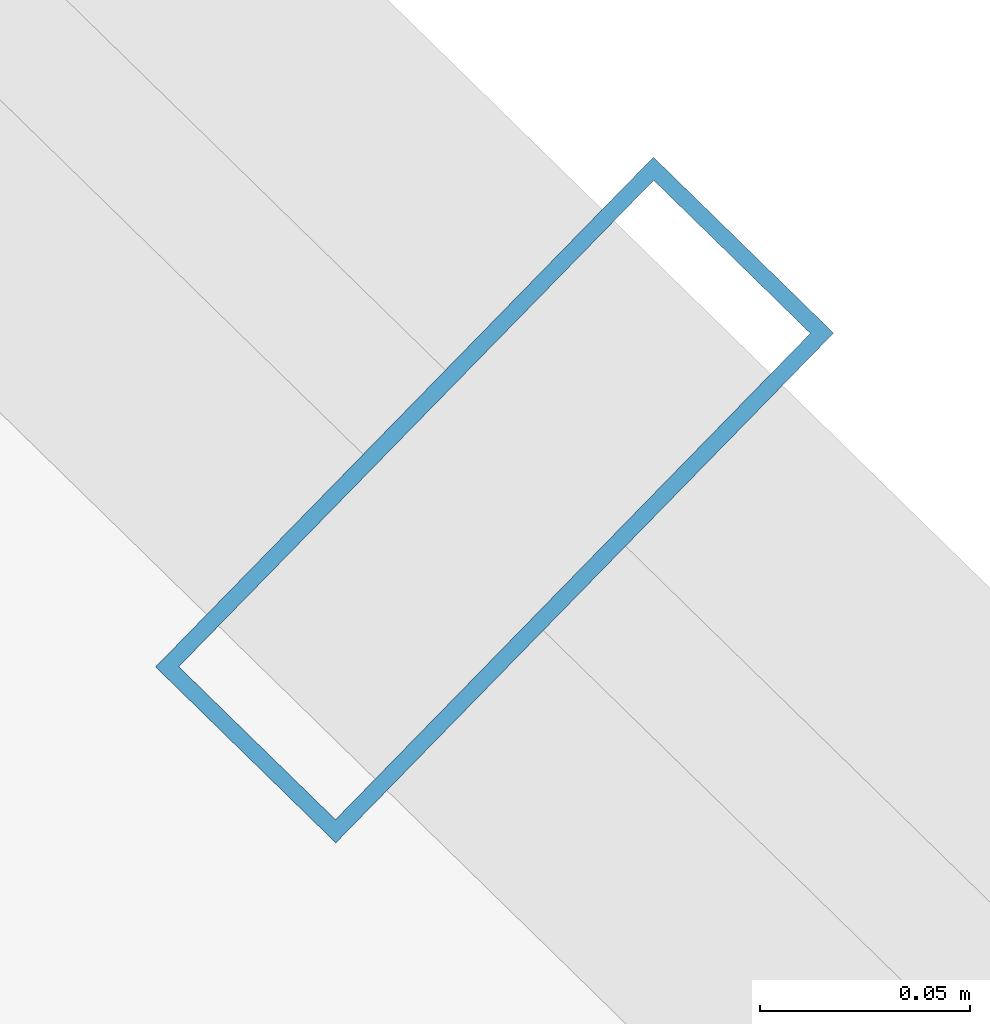
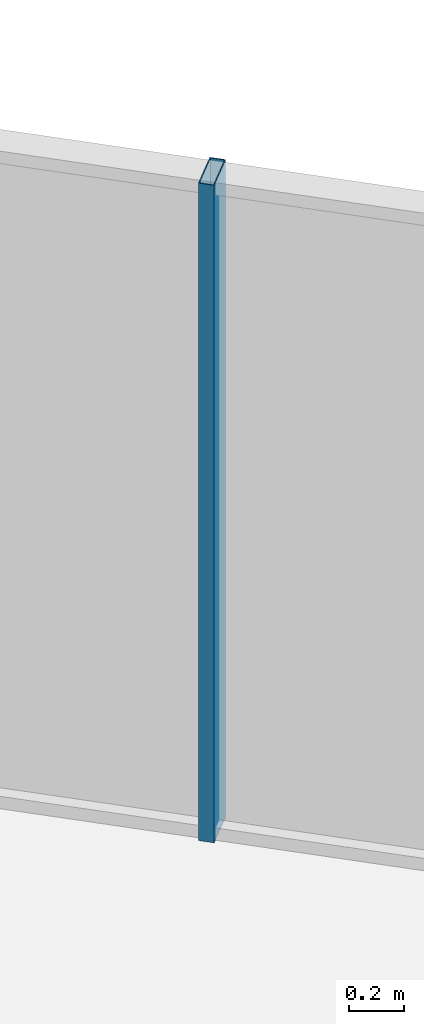
# One storey, part 30 of 39: 1 member, 1 element without a shape of its own.
"""IFC4 building model written with IfcOpenShell, lengths in metres."""

from ifc_helpers import new_model, si_unit, direction, frame, origin, origin_2d, place, context, subcontext, project, spatial, hollow_rectangle, extrude, source, transform, mapped, material, layer, layer_set, material_profile, profile_set, type_object, element, aggregate, save


model = new_model("IFC4")

# Units and contexts
model_context = context("Model", 3, precision=1e-05, world=origin(), true_north=direction((0.0, 1.0)))
body_context = subcontext(model_context, "Body", "Model", "MODEL_VIEW")
ifc_project = project(units=[si_unit("LENGTHUNIT", "METRE"), si_unit("AREAUNIT", "SQUARE_METRE"), si_unit("VOLUMEUNIT", "CUBIC_METRE"), si_unit("PLANEANGLEUNIT", "RADIAN"), si_unit("MASSUNIT", "GRAM", prefix="KILO")], contexts=[model_context])

# Site, building, storey
site_placement = place(None, origin())
site = spatial("IfcSite", under=ifc_project, at=site_placement, CompositionType="ELEMENT")
building_placement = place(site_placement, origin())
building = spatial("IfcBuilding", under=site, at=building_placement, Name="Veraguas Prism Commons", CompositionType="ELEMENT")
storey_placement = place(building_placement, frame((0.0, 0.0, 77.10009765625)))
storey = spatial("IfcBuildingStorey", under=building, at=storey_placement, Name="L21", CompositionType="ELEMENT", Elevation=77.10009765625)

# Curtain wall, member
ifc_material = material(Name="Anodised aluminium EN AW-6063 T6", Category="aluminium")
ifc_layer = layer(ifc_material, 0.169921875, Name="Unitised Flush Curtain Wall Zone 1", Category="aluminium")
ifc_layer_set = layer_set([ifc_layer], Name="Anodised aluminium EN AW-6063 T6")
curtain_wall_type = type_object("IfcCurtainWallType", Name="Unitised Flush Curtain Wall Zone 1", PredefinedType="NOTDEFINED", material=ifc_layer_set)
curtain_wall_placement = place(storey_placement, origin())
curtain_wall = element("IfcCurtainWall", 1, at=curtain_wall_placement, inside=storey, type_object=curtain_wall_type, Name="Tower Facade Curtain Wall L21-F1", PredefinedType="NOTDEFINED")
ifc_material_profile = material_profile(ifc_material, hollow_rectangle(XDim=0.06005859375, YDim=0.169921875, WallThickness=0.00390625, at=origin_2d()), Name="AL60X170X4")
ifc_profile_set = profile_set([ifc_material_profile], Name="Anodised aluminium EN AW-6063 T6")
member_type = type_object("IfcMemberType", Name="Curtain Wall Mullion Lower AL 60x170x4", PredefinedType="MULLION", material=ifc_profile_set)
shared_shape = source(origin(), body_context, "Body", "SweptSolid", [
    extrude(hollow_rectangle(XDim=0.06005859375, YDim=0.169921875, WallThickness=0.00390625, at=origin_2d()), origin(), (0.0, 0.0, 1.0), 2.929931640625),
])
member_placement = place(storey_placement, frame((38.521484375, 38.870361328125, 0.0), z_axis=(0.0, 0.0, 1.0), x_axis=(-0.715448897181, 0.698665066769, 0.0)))
member = element("IfcMember", 2, at=member_placement, type_object=member_type, Name="CW-Z1 Mullion 3", PredefinedType="MULLION", context=body_context, shape_type="MappedRepresentation", body=[
    mapped(shared_shape, transform((0.0, 0.0, 0.0), scale=1.0)),
])
aggregate(curtain_wall, [member])

save(model, "model.ifc")
